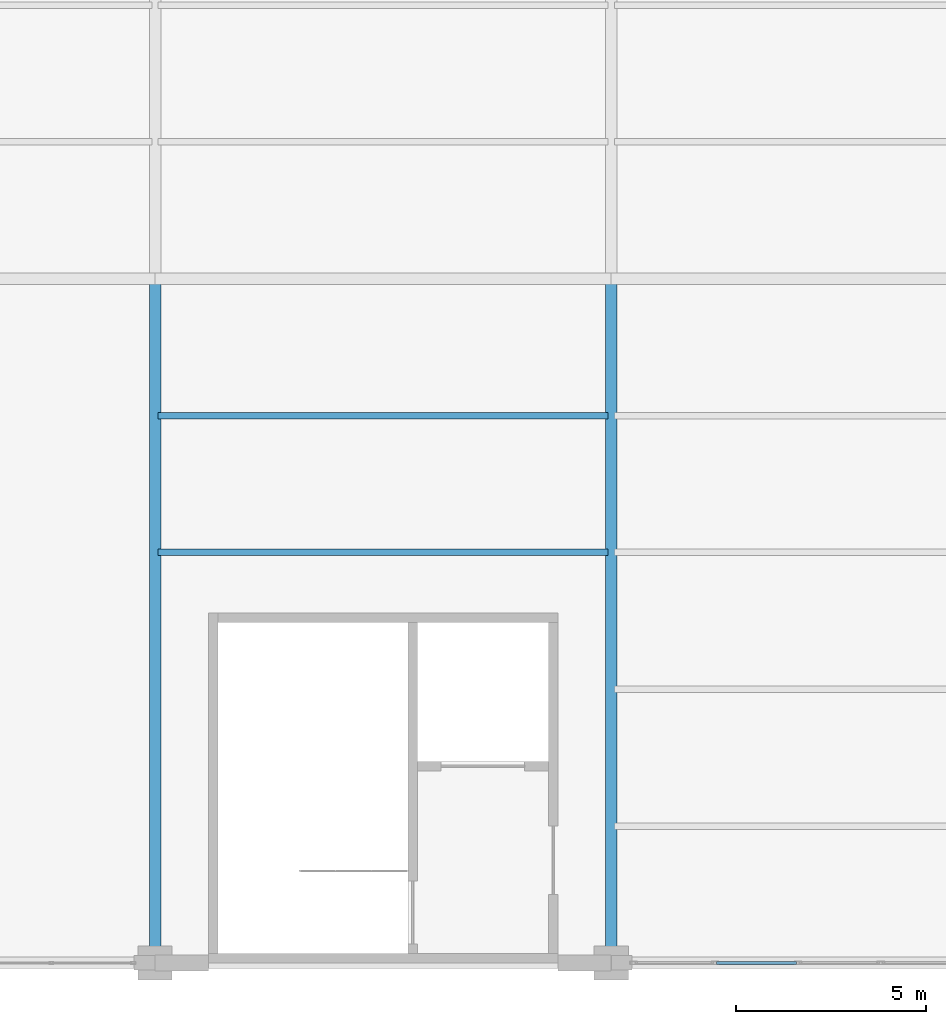
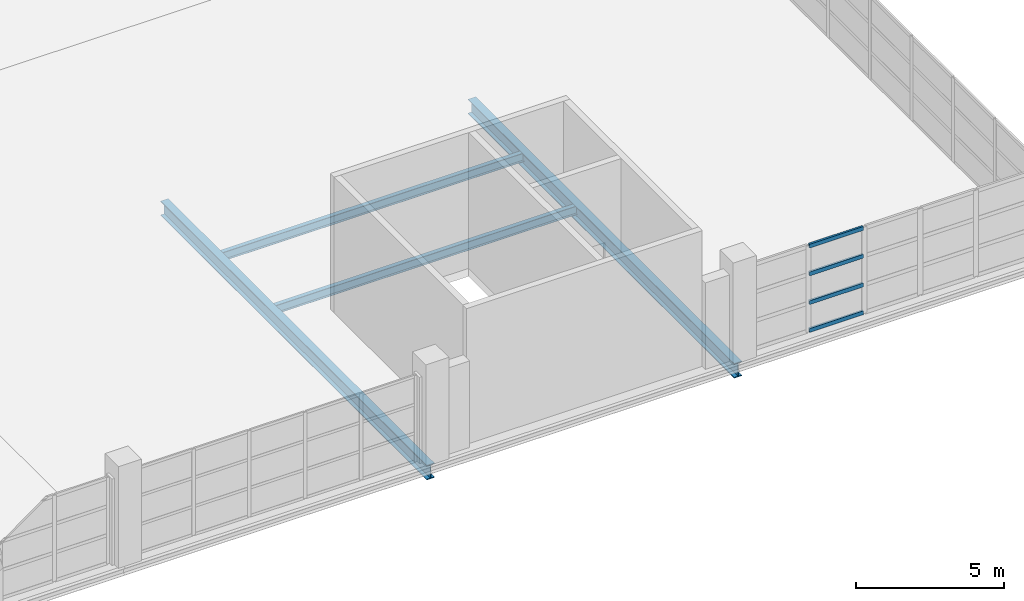
# One storey, part 80 of 158: 4 beams, 4 members, 1 element without a shape of its own.
"""IFC4 building model written with IfcOpenShell, lengths in metres."""

from ifc_helpers import new_model, si_unit, direction, frame, origin, origin_2d, place, context, subcontext, project, spatial, hollow_rectangle, i_section, extrude, material, layer, layer_set, material_profile, profile_set, type_object, element, aggregate, save


model = new_model("IFC4")

# Units and contexts
model_context = context("Model", 3, precision=1e-05, world=origin(), true_north=direction((0.0, 1.0)))
body_context = subcontext(model_context, "Body", "Model", "MODEL_VIEW")
ifc_project = project(units=[si_unit("LENGTHUNIT", "METRE"), si_unit("AREAUNIT", "SQUARE_METRE"), si_unit("VOLUMEUNIT", "CUBIC_METRE"), si_unit("PLANEANGLEUNIT", "RADIAN"), si_unit("MASSUNIT", "GRAM", prefix="KILO")], contexts=[model_context])

# Site, building, storey
site_placement = place(None, origin())
site = spatial("IfcSite", under=ifc_project, at=site_placement, CompositionType="ELEMENT")
building_placement = place(site_placement, origin())
building = spatial("IfcBuilding", under=site, at=building_placement, Name="Zilviju Railside Exhibition Hall", CompositionType="ELEMENT")
storey_placement = place(building_placement, frame((0.0, 0.0, 4.199951171875)))
storey = spatial("IfcBuildingStorey", under=building, at=storey_placement, Name="L02", CompositionType="ELEMENT", Elevation=4.199951171875)

# Beams
ifc_material_1 = material(Name="Steel S355J2", Category="steel")
ifc_material_profile_1 = material_profile(ifc_material_1, i_section(OverallWidth=0.300048828125, OverallDepth=0.60009765625, WebThickness=0.015380859375, FlangeThickness=0.030029296875, at=origin_2d()), Name="HEB 600")
ifc_profile_set_1 = profile_set([ifc_material_profile_1], Name="Steel S355J2")
beam_type_1 = type_object("IfcBeamType", Name="BM-HEB600", PredefinedType="BEAM", material=ifc_profile_set_1)
for number, where, z_axis, x_axis, name in (
    (1, (192.0, 0.0, -0.6298828125), (0.0, 1.0, 0.0), (-1.0, 0.0, 0.0), "Transverse Girder L02 X=192.0 (0.0..18.0)"),
    (2, (204.0, 0.0, -0.6298828125), (0.0, 1.0, 0.0), (-1.0, 0.0, 0.0), "Transverse Girder L02 X=204.0 (0.0..18.0)"),
):
    element("IfcBeam", number, at=place(storey_placement, frame(where, z_axis=z_axis, x_axis=x_axis)), inside=storey, type_object=beam_type_1, Name=name, PredefinedType="BEAM", context=body_context, shape_type="SweptSolid", body=[
        extrude(i_section(OverallWidth=0.300048828125, OverallDepth=0.60009765625, WebThickness=0.015380859375, FlangeThickness=0.030029296875, at=origin_2d()), origin(), (0.0, 0.0, 1.0), 18.0),
    ])
ifc_material_profile_2 = material_profile(ifc_material_1, i_section(OverallWidth=0.169921875, OverallDepth=0.360107421875, WebThickness=0.008056640625, FlangeThickness=0.0126953125, at=origin_2d()), Name="IPE 360")
ifc_profile_set_2 = profile_set([ifc_material_profile_2], Name="Steel S355J2")
beam_type_2 = type_object("IfcBeamType", Name="BM-IPE360", PredefinedType="JOIST", material=ifc_profile_set_2)
for number, where, z_axis, x_axis, name in (
    (3, (192.080078125, 10.800048828125, -0.510009765625), (1.0, 0.0, 0.0), (0.0, 1.0, 0.0), "Composite Floor Joist L02 Y=10.80 (192.0..204.0)"),
    (4, (192.080078125, 14.39990234375, -0.510009765625), (1.0, 0.0, 0.0), (0.0, 1.0, 0.0), "Composite Floor Joist L02 Y=14.40 (192.0..204.0)"),
):
    element("IfcBeam", number, at=place(storey_placement, frame(where, z_axis=z_axis, x_axis=x_axis)), inside=storey, type_object=beam_type_2, Name=name, PredefinedType="JOIST", context=body_context, shape_type="SweptSolid", body=[
        extrude(i_section(OverallWidth=0.169921875, OverallDepth=0.360107421875, WebThickness=0.008056640625, FlangeThickness=0.0126953125, at=origin_2d()), origin(), (0.0, 0.0, 1.0), 11.83984375),
    ])

# Curtain wall, members
ifc_material_2 = material(Name="Thermally broken aluminium-steel triple-glazed curtain wall", Category="steel")
ifc_layer = layer(ifc_material_2, 0.179931640625)
ifc_layer_set = layer_set([ifc_layer], Name="Thermally broken aluminium-steel triple-glazed curtain wall")
curtain_wall_type = type_object("IfcCurtainWallType", Name="CW-BAY-16", PredefinedType="USERDEFINED", material=ifc_layer_set)
curtain_wall_placement = place(storey_placement, origin())
curtain_wall = element("IfcCurtainWall", 5, at=curtain_wall_placement, inside=storey, type_object=curtain_wall_type, Name="South Hall Facade Curtain Wall L02 (204..216)", ObjectType="GLAZED CURTAIN WALL", PredefinedType="USERDEFINED")
ifc_material_3 = material(Name="Thermally broken anodized aluminium transom", Category="aluminium")
ifc_material_profile_3 = material_profile(ifc_material_3, hollow_rectangle(XDim=0.080078125, YDim=0.159912109375, WallThickness=0.0048828125, at=origin_2d()), Name="TRANSOM 160x80x5")
ifc_profile_set_3 = profile_set([ifc_material_profile_3], Name="Thermally broken anodized aluminium transom")
member_type = type_object("IfcMemberType", Name="CWT-80x160", PredefinedType="USERDEFINED", material=ifc_profile_set_3)
member_1_placement = place(storey_placement, frame((208.8701171875, 0.0, 0.0400390625), z_axis=(-1.0, 0.0, 0.0), x_axis=(0.0, -1.0, 0.0)))
member_1 = element("IfcMember", 6, at=member_1_placement, type_object=member_type, Name="CW-16 transom 4.1", ObjectType="TRANSOM", PredefinedType="USERDEFINED", context=body_context, shape_type="SweptSolid", body=[
    extrude(hollow_rectangle(XDim=0.080078125, YDim=0.159912109375, WallThickness=0.0048828125, at=origin_2d()), origin(), (0.0, 0.0, 1.0), 2.10009765625),
])
member_2_placement = place(storey_placement, frame((208.8701171875, 0.0, 1.18701171875), z_axis=(-1.0, 0.0, 0.0), x_axis=(0.0, -1.0, 0.0)))
member_2 = element("IfcMember", 7, at=member_2_placement, type_object=member_type, Name="CW-16 transom 4.2", ObjectType="TRANSOM", PredefinedType="USERDEFINED", context=body_context, shape_type="SweptSolid", body=[
    extrude(hollow_rectangle(XDim=0.080078125, YDim=0.159912109375, WallThickness=0.0048828125, at=origin_2d()), origin(), (0.0, 0.0, 1.0), 2.10009765625),
])
member_3_placement = place(storey_placement, frame((208.8701171875, 0.0, 2.373046875), z_axis=(-1.0, 0.0, 0.0), x_axis=(0.0, -1.0, 0.0)))
member_3 = element("IfcMember", 8, at=member_3_placement, type_object=member_type, Name="CW-16 transom 4.3", ObjectType="TRANSOM", PredefinedType="USERDEFINED", context=body_context, shape_type="SweptSolid", body=[
    extrude(hollow_rectangle(XDim=0.080078125, YDim=0.159912109375, WallThickness=0.0048828125, at=origin_2d()), origin(), (0.0, 0.0, 1.0), 2.10009765625),
])
member_4_placement = place(storey_placement, frame((208.8701171875, 0.0, 3.52001953125), z_axis=(-1.0, 0.0, 0.0), x_axis=(0.0, -1.0, 0.0)))
member_4 = element("IfcMember", 9, at=member_4_placement, type_object=member_type, Name="CW-16 transom 4.4", ObjectType="TRANSOM", PredefinedType="USERDEFINED", context=body_context, shape_type="SweptSolid", body=[
    extrude(hollow_rectangle(XDim=0.080078125, YDim=0.159912109375, WallThickness=0.0048828125, at=origin_2d()), origin(), (0.0, 0.0, 1.0), 2.10009765625),
])
aggregate(curtain_wall, [member_1, member_2, member_3, member_4])

save(model, "model.ifc")
